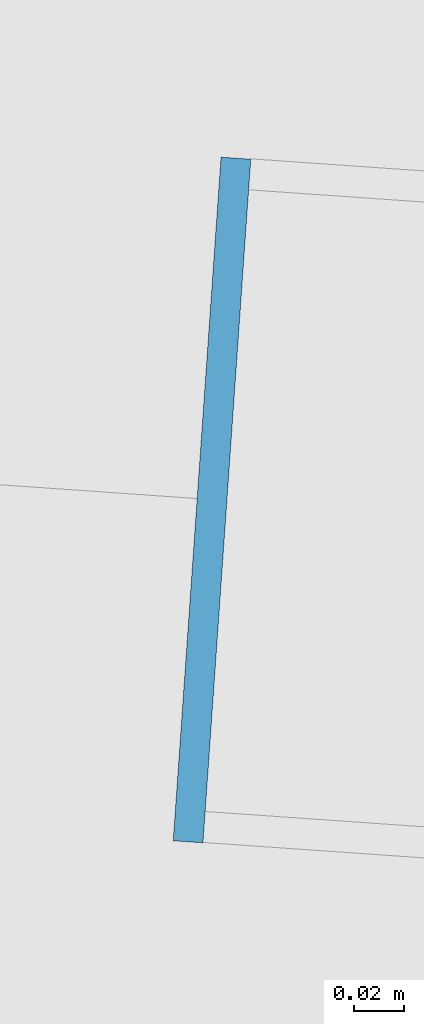
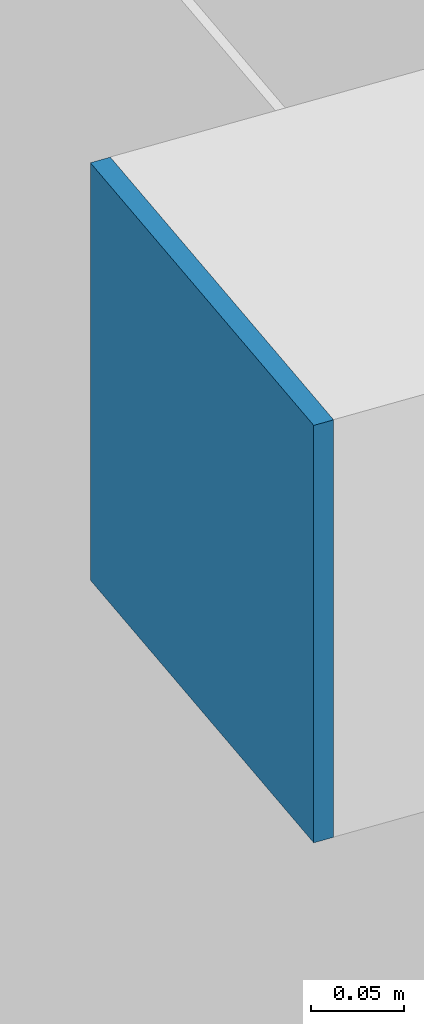
# One storey, part 29 of 39: 1 plate.
"""IFC4 building model written with IfcOpenShell, lengths in metres."""

from ifc_helpers import new_model, si_unit, direction, frame, origin, origin_2d, place, context, subcontext, project, spatial, rectangle, extrude, source, transform, mapped, material, layer, layer_set, type_object, element, save


model = new_model("IFC4")

# Units and contexts
model_context = context("Model", 3, precision=1e-05, world=origin(), true_north=direction((0.0, 1.0)))
body_context = subcontext(model_context, "Body", "Model", "MODEL_VIEW")
ifc_project = project(units=[si_unit("LENGTHUNIT", "METRE"), si_unit("AREAUNIT", "SQUARE_METRE"), si_unit("VOLUMEUNIT", "CUBIC_METRE"), si_unit("PLANEANGLEUNIT", "RADIAN"), si_unit("MASSUNIT", "GRAM", prefix="KILO")], contexts=[model_context])

# Site, building, storey
site_placement = place(None, origin())
site = spatial("IfcSite", under=ifc_project, at=site_placement, CompositionType="ELEMENT")
building_placement = place(site_placement, origin())
building = spatial("IfcBuilding", under=site, at=building_placement, Name="Taldren Reach Tower", CompositionType="ELEMENT")
storey_placement = place(building_placement, frame((0.0, 0.0, 136.14990234375)))
storey = spatial("IfcBuildingStorey", under=building, at=storey_placement, Name="L41", CompositionType="ELEMENT", Elevation=136.14990234375)

# Plate
ifc_material = material(Name="Steel Gr 450 (C450L0)", Category="steel")
ifc_layer = layer(ifc_material, 0.011962890625)
ifc_layer_set = layer_set([ifc_layer], Name="Steel Gr 450 (C450L0)")
plate_type = type_object("IfcPlateType", Name="PL-CAP-275", PredefinedType="SHEET", material=ifc_layer_set)
shared_shape = source(origin(), body_context, "Body", "SweptSolid", [
    extrude(rectangle(XDim=0.011962890625, YDim=0.27490234375, at=origin_2d()), origin(), (0.0, 0.0, 1.0), 0.27490234375),
])
plate_placement = place(storey_placement, frame((8.3095703125, 21.976806640625, 2.5126953125), z_axis=(0.0, 0.0, 1.0), x_axis=(0.99756405026, -0.069756473744, 0.0)))
element("IfcPlate", 1, at=plate_placement, inside=storey, type_object=plate_type, Name="Tie strut end cap plate B3-W2 L41", PredefinedType="SHEET", context=body_context, shape_type="MappedRepresentation", body=[
    mapped(shared_shape, transform((0.0, 0.0, 0.0), scale=1.0)),
])

save(model, "model.ifc")
